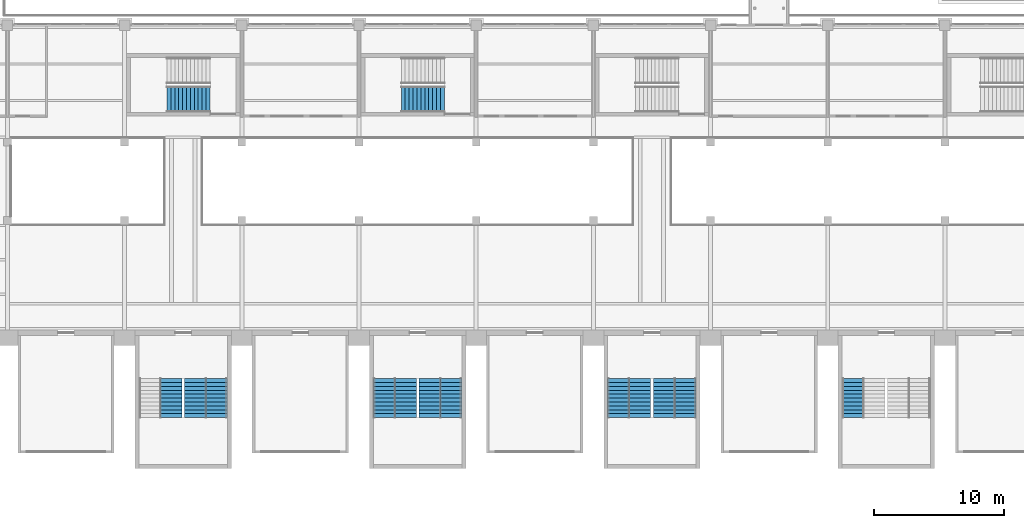
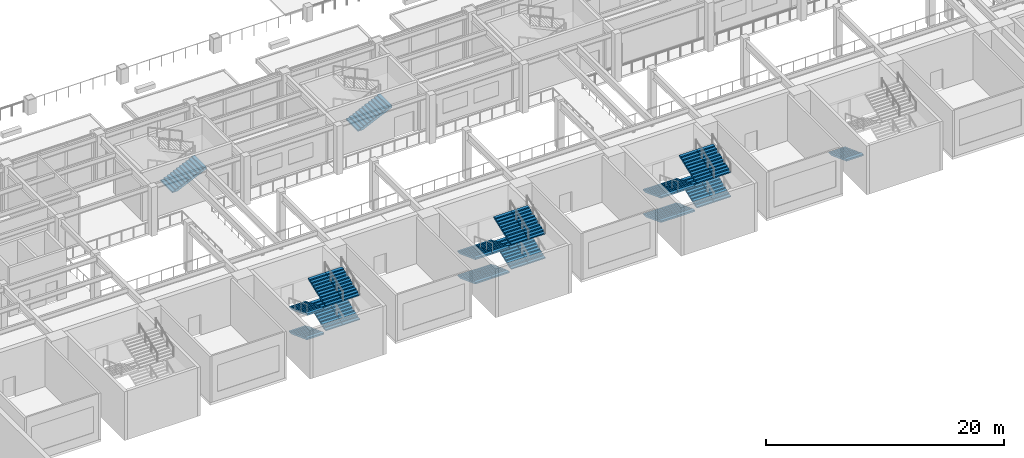
# One storey, part 50 of 67: 25 stair flights, 9 elements without a shape of their own.
"""IFC4 building model written with IfcOpenShell, lengths in metres."""

from ifc_helpers import new_model, si_unit, direction, frame, origin, place, context, subcontext, project, spatial, polyline, outline, extrude, material, type_object, element, aggregate, save


model = new_model("IFC4")

# Units and contexts
model_context = context("Model", 3, precision=1e-05, world=origin(), true_north=direction((0.0, 1.0)))
body_context = subcontext(model_context, "Body", "Model", "MODEL_VIEW")
ifc_project = project(units=[si_unit("LENGTHUNIT", "METRE"), si_unit("AREAUNIT", "SQUARE_METRE"), si_unit("VOLUMEUNIT", "CUBIC_METRE"), si_unit("PLANEANGLEUNIT", "RADIAN"), si_unit("MASSUNIT", "GRAM", prefix="KILO")], contexts=[model_context])

# Site, building, storey
site_placement = place(None, origin())
site = spatial("IfcSite", under=ifc_project, at=site_placement, CompositionType="ELEMENT")
building_placement = place(site_placement, origin())
building = spatial("IfcBuilding", under=site, at=building_placement, Name="Aravalli Gate Trade Fair Centre", CompositionType="ELEMENT")
storey_placement = place(building_placement, frame((0.0, 0.0, 5.0)))
storey = spatial("IfcBuildingStorey", under=building, at=storey_placement, Name="L01", CompositionType="ELEMENT", Elevation=5.0)

# Stair, stair flight
ifc_material_1 = material(Name="Concrete M30", Category="concrete")
stair_type_1 = type_object("IfcStairType", Name="Concourse stair, 2000 wide", PredefinedType="HALF_TURN_STAIR", material=ifc_material_1)
stair_1_placement = place(storey_placement, origin())
stair_1 = element("IfcStair", 1, at=stair_1_placement, inside=storey, type_object=stair_type_1, Name="Stair XA L01", PredefinedType="HALF_TURN_STAIR")
stair_flight_type_1 = type_object("IfcStairFlightType", Name="Concourse stair flight 2000", PredefinedType="STRAIGHT", material=ifc_material_1)
stair_flight_1_placement = place(storey_placement, frame((36.25, 127.300048828125, 1.666748046875), z_axis=(0.0, 0.0, 1.0), x_axis=(1.0, 0.0, 0.0)))
stair_flight_1 = element("IfcStairFlight", 2, at=stair_flight_1_placement, type_object=stair_flight_type_1, Name="STXA-L01 flight 2", NumberOfRisers=12, NumberOfTreads=11, PredefinedType="STRAIGHT", RiserHeight=0.138888889, TreadLength=0.3, context=body_context, shape_type="SweptSolid", body=[
    extrude(outline(polyline([(0.0, 0.0), (0.0, 0.138916015625), (0.300048828125, 0.138916015625), (0.300048828125, 0.27783203125), (0.60009765625, 0.27783203125), (0.60009765625, 0.416748046875), (0.89990234375, 0.416748046875), (0.89990234375, 0.5556640625), (1.199951171875, 0.5556640625), (1.199951171875, 0.6943359375), (1.5, 0.6943359375), (1.5, 0.833251953125), (1.800048828125, 0.833251953125), (1.800048828125, 0.97216796875), (2.10009765625, 0.97216796875), (2.10009765625, 1.111083984375), (2.39990234375, 1.111083984375), (2.39990234375, 1.25), (2.699951171875, 1.25), (2.699951171875, 1.388916015625), (3.0, 1.388916015625), (3.0, 1.52783203125), (3.300048828125, 1.52783203125), (3.300048828125, 1.666748046875), (3.300048828125, 1.307373046875), (0.475830078125, 0.0), (0.0, 0.0)])), frame((0.0, 1.0, 0.0), z_axis=(0.0, -1.0, 0.0), x_axis=(1.0, 0.0, 0.0)), (0.0, 0.0, 1.0), 2.0),
])
aggregate(stair_1, [stair_flight_1])

stair_2_placement = place(storey_placement, origin())
stair_2 = element("IfcStair", 3, at=stair_2_placement, inside=storey, type_object=stair_type_1, Name="Stair XB L01", PredefinedType="HALF_TURN_STAIR")
stair_flight_2_placement = place(storey_placement, frame((54.25, 127.300048828125, 1.666748046875), z_axis=(0.0, 0.0, 1.0), x_axis=(1.0, 0.0, 0.0)))
stair_flight_2 = element("IfcStairFlight", 4, at=stair_flight_2_placement, type_object=stair_flight_type_1, Name="STXB-L01 flight 2", NumberOfRisers=12, NumberOfTreads=11, PredefinedType="STRAIGHT", RiserHeight=0.138888889, TreadLength=0.3, context=body_context, shape_type="SweptSolid", body=[
    extrude(outline(polyline([(0.0, 0.0), (0.0, 0.138916015625), (0.300048828125, 0.138916015625), (0.300048828125, 0.27783203125), (0.60009765625, 0.27783203125), (0.60009765625, 0.416748046875), (0.89990234375, 0.416748046875), (0.89990234375, 0.5556640625), (1.199951171875, 0.5556640625), (1.199951171875, 0.6943359375), (1.5, 0.6943359375), (1.5, 0.833251953125), (1.800048828125, 0.833251953125), (1.800048828125, 0.97216796875), (2.10009765625, 0.97216796875), (2.10009765625, 1.111083984375), (2.39990234375, 1.111083984375), (2.39990234375, 1.25), (2.699951171875, 1.25), (2.699951171875, 1.388916015625), (3.0, 1.388916015625), (3.0, 1.52783203125), (3.300048828125, 1.52783203125), (3.300048828125, 1.666748046875), (3.300048828125, 1.307373046875), (0.475830078125, 0.0), (0.0, 0.0)])), frame((0.0, 1.0, 0.0), z_axis=(0.0, -1.0, 0.0), x_axis=(1.0, 0.0, 0.0)), (0.0, 0.0, 1.0), 2.0),
])
aggregate(stair_2, [stair_flight_2])

# Stair, stair flights
ifc_material_2 = material(Name="Concrete M40", Category="concrete")
stair_type_2 = type_object("IfcStairType", Name="Hall exit stair, four flights", PredefinedType="HALF_TURN_STAIR", material=ifc_material_2)
stair_3_placement = place(storey_placement, origin())
stair_3 = element("IfcStair", 5, at=stair_3_placement, inside=storey, type_object=stair_type_2, Name="Exit stair ST-N04 lane A L01", PredefinedType="HALF_TURN_STAIR")
stair_flight_type_2 = type_object("IfcStairFlightType", Name="Hall exit stair flight, four flights", PredefinedType="STRAIGHT", material=ifc_material_2)
stair_flight_3_placement = place(storey_placement, frame((38.419921875, 102.85009765625, 1.25), z_axis=(0.0, 0.0, 1.0), x_axis=(0.0, 1.0, 0.0)))
stair_flight_3 = element("IfcStairFlight", 6, at=stair_flight_3_placement, type_object=stair_flight_type_2, Name="ST-N04A flight 2", NumberOfRisers=11, NumberOfTreads=10, PredefinedType="STRAIGHT", RiserHeight=0.113636364, TreadLength=0.3, context=body_context, shape_type="SweptSolid", body=[
    extrude(outline(polyline([(0.0, 0.0), (0.0, 0.113525390625), (0.300048828125, 0.113525390625), (0.300048828125, 0.227294921875), (0.60009765625, 0.227294921875), (0.60009765625, 0.3408203125), (0.89990234375, 0.3408203125), (0.89990234375, 0.45458984375), (1.199951171875, 0.45458984375), (1.199951171875, 0.568115234375), (1.5, 0.568115234375), (1.5, 0.681884765625), (1.800048828125, 0.681884765625), (1.800048828125, 0.79541015625), (2.10009765625, 0.79541015625), (2.10009765625, 0.9091796875), (2.39990234375, 0.9091796875), (2.39990234375, 1.022705078125), (2.699951171875, 1.022705078125), (2.699951171875, 1.136474609375), (3.0, 1.136474609375), (3.0, 1.25), (3.0, 0.97607421875), (0.423095703125, 0.0), (0.0, 0.0)])), frame((0.0, 0.81982421875, 0.0), z_axis=(0.0, -1.0, 0.0), x_axis=(1.0, 0.0, 0.0)), (0.0, 0.0, 1.0), 1.639892578125),
])
stair_flight_4_placement = place(storey_placement, frame((38.419921875, 102.85009765625, 3.75), z_axis=(0.0, 0.0, 1.0), x_axis=(0.0, 1.0, 0.0)))
stair_flight_4 = element("IfcStairFlight", 7, at=stair_flight_4_placement, type_object=stair_flight_type_2, Name="ST-N04A flight 4", NumberOfRisers=11, NumberOfTreads=10, PredefinedType="STRAIGHT", RiserHeight=0.113636364, TreadLength=0.3, context=body_context, shape_type="SweptSolid", body=[
    extrude(outline(polyline([(0.0, 0.0), (0.0, 0.113525390625), (0.300048828125, 0.113525390625), (0.300048828125, 0.227294921875), (0.60009765625, 0.227294921875), (0.60009765625, 0.3408203125), (0.89990234375, 0.3408203125), (0.89990234375, 0.45458984375), (1.199951171875, 0.45458984375), (1.199951171875, 0.568115234375), (1.5, 0.568115234375), (1.5, 0.681884765625), (1.800048828125, 0.681884765625), (1.800048828125, 0.79541015625), (2.10009765625, 0.79541015625), (2.10009765625, 0.9091796875), (2.39990234375, 0.9091796875), (2.39990234375, 1.022705078125), (2.699951171875, 1.022705078125), (2.699951171875, 1.136474609375), (3.0, 1.136474609375), (3.0, 1.25), (3.0, 0.97607421875), (0.423095703125, 0.0), (0.0, 0.0)])), frame((0.0, 0.81982421875, 0.0), z_axis=(0.0, -1.0, 0.0), x_axis=(1.0, 0.0, 0.0)), (0.0, 0.0, 1.0), 1.639892578125),
])
aggregate(stair_3, [stair_flight_3, stair_flight_4])

stair_4_placement = place(storey_placement, origin())
stair_4 = element("IfcStair", 8, at=stair_4_placement, inside=storey, type_object=stair_type_2, Name="Exit stair ST-N04 lane B L01", PredefinedType="HALF_TURN_STAIR")
stair_flight_5_placement = place(storey_placement, frame((36.580078125, 105.85009765625, 0.0), z_axis=(0.0, 0.0, 1.0), x_axis=(0.0, -1.0, 0.0)))
stair_flight_5 = element("IfcStairFlight", 9, at=stair_flight_5_placement, type_object=stair_flight_type_2, Name="ST-N04B flight 1", NumberOfRisers=11, NumberOfTreads=10, PredefinedType="STRAIGHT", RiserHeight=0.113636364, TreadLength=0.3, context=body_context, shape_type="SweptSolid", body=[
    extrude(outline(polyline([(0.0, 0.0), (0.0, 0.113525390625), (0.300048828125, 0.113525390625), (0.300048828125, 0.227294921875), (0.60009765625, 0.227294921875), (0.60009765625, 0.3408203125), (0.89990234375, 0.3408203125), (0.89990234375, 0.45458984375), (1.199951171875, 0.45458984375), (1.199951171875, 0.568115234375), (1.5, 0.568115234375), (1.5, 0.681884765625), (1.800048828125, 0.681884765625), (1.800048828125, 0.79541015625), (2.10009765625, 0.79541015625), (2.10009765625, 0.9091796875), (2.39990234375, 0.9091796875), (2.39990234375, 1.022705078125), (2.699951171875, 1.022705078125), (2.699951171875, 1.136474609375), (3.0, 1.136474609375), (3.0, 1.25), (3.0, 0.97607421875), (0.423095703125, 0.0), (0.0, 0.0)])), frame((0.0, 0.81982421875, 0.0), z_axis=(0.0, -1.0, 0.0), x_axis=(1.0, 0.0, 0.0)), (0.0, 0.0, 1.0), 1.639892578125),
])
stair_flight_6_placement = place(storey_placement, frame((40.080078125, 102.85009765625, 1.25), z_axis=(0.0, 0.0, 1.0), x_axis=(0.0, 1.0, 0.0)))
stair_flight_6 = element("IfcStairFlight", 10, at=stair_flight_6_placement, type_object=stair_flight_type_2, Name="ST-N04B flight 2", NumberOfRisers=11, NumberOfTreads=10, PredefinedType="STRAIGHT", RiserHeight=0.113636364, TreadLength=0.3, context=body_context, shape_type="SweptSolid", body=[
    extrude(outline(polyline([(0.0, 0.0), (0.0, 0.113525390625), (0.300048828125, 0.113525390625), (0.300048828125, 0.227294921875), (0.60009765625, 0.227294921875), (0.60009765625, 0.3408203125), (0.89990234375, 0.3408203125), (0.89990234375, 0.45458984375), (1.199951171875, 0.45458984375), (1.199951171875, 0.568115234375), (1.5, 0.568115234375), (1.5, 0.681884765625), (1.800048828125, 0.681884765625), (1.800048828125, 0.79541015625), (2.10009765625, 0.79541015625), (2.10009765625, 0.9091796875), (2.39990234375, 0.9091796875), (2.39990234375, 1.022705078125), (2.699951171875, 1.022705078125), (2.699951171875, 1.136474609375), (3.0, 1.136474609375), (3.0, 1.25), (3.0, 0.97607421875), (0.423095703125, 0.0), (0.0, 0.0)])), frame((0.0, 0.81982421875, 0.0), z_axis=(0.0, -1.0, 0.0), x_axis=(1.0, 0.0, 0.0)), (0.0, 0.0, 1.0), 1.639892578125),
])
stair_flight_7_placement = place(storey_placement, frame((36.580078125, 105.85009765625, 2.5), z_axis=(0.0, 0.0, 1.0), x_axis=(0.0, -1.0, 0.0)))
stair_flight_7 = element("IfcStairFlight", 11, at=stair_flight_7_placement, type_object=stair_flight_type_2, Name="ST-N04B flight 3", NumberOfRisers=11, NumberOfTreads=10, PredefinedType="STRAIGHT", RiserHeight=0.113636364, TreadLength=0.3, context=body_context, shape_type="SweptSolid", body=[
    extrude(outline(polyline([(0.0, 0.0), (0.0, 0.113525390625), (0.300048828125, 0.113525390625), (0.300048828125, 0.227294921875), (0.60009765625, 0.227294921875), (0.60009765625, 0.3408203125), (0.89990234375, 0.3408203125), (0.89990234375, 0.45458984375), (1.199951171875, 0.45458984375), (1.199951171875, 0.568115234375), (1.5, 0.568115234375), (1.5, 0.681884765625), (1.800048828125, 0.681884765625), (1.800048828125, 0.79541015625), (2.10009765625, 0.79541015625), (2.10009765625, 0.9091796875), (2.39990234375, 0.9091796875), (2.39990234375, 1.022705078125), (2.699951171875, 1.022705078125), (2.699951171875, 1.136474609375), (3.0, 1.136474609375), (3.0, 1.25), (3.0, 0.97607421875), (0.423095703125, 0.0), (0.0, 0.0)])), frame((0.0, 0.81982421875, 0.0), z_axis=(0.0, -1.0, 0.0), x_axis=(1.0, 0.0, 0.0)), (0.0, 0.0, 1.0), 1.639892578125),
])
stair_flight_8_placement = place(storey_placement, frame((40.080078125, 102.85009765625, 3.75), z_axis=(0.0, 0.0, 1.0), x_axis=(0.0, 1.0, 0.0)))
stair_flight_8 = element("IfcStairFlight", 12, at=stair_flight_8_placement, type_object=stair_flight_type_2, Name="ST-N04B flight 4", NumberOfRisers=11, NumberOfTreads=10, PredefinedType="STRAIGHT", RiserHeight=0.113636364, TreadLength=0.3, context=body_context, shape_type="SweptSolid", body=[
    extrude(outline(polyline([(0.0, 0.0), (0.0, 0.113525390625), (0.300048828125, 0.113525390625), (0.300048828125, 0.227294921875), (0.60009765625, 0.227294921875), (0.60009765625, 0.3408203125), (0.89990234375, 0.3408203125), (0.89990234375, 0.45458984375), (1.199951171875, 0.45458984375), (1.199951171875, 0.568115234375), (1.5, 0.568115234375), (1.5, 0.681884765625), (1.800048828125, 0.681884765625), (1.800048828125, 0.79541015625), (2.10009765625, 0.79541015625), (2.10009765625, 0.9091796875), (2.39990234375, 0.9091796875), (2.39990234375, 1.022705078125), (2.699951171875, 1.022705078125), (2.699951171875, 1.136474609375), (3.0, 1.136474609375), (3.0, 1.25), (3.0, 0.97607421875), (0.423095703125, 0.0), (0.0, 0.0)])), frame((0.0, 0.81982421875, 0.0), z_axis=(0.0, -1.0, 0.0), x_axis=(1.0, 0.0, 0.0)), (0.0, 0.0, 1.0), 1.639892578125),
])
aggregate(stair_4, [stair_flight_5, stair_flight_6, stair_flight_7, stair_flight_8])

stair_5_placement = place(storey_placement, origin())
stair_5 = element("IfcStair", 13, at=stair_5_placement, inside=storey, type_object=stair_type_2, Name="Exit stair ST-N06 lane A L01", PredefinedType="HALF_TURN_STAIR")
stair_flight_9_placement = place(storey_placement, frame((52.919921875, 105.85009765625, 0.0), z_axis=(0.0, 0.0, 1.0), x_axis=(0.0, -1.0, 0.0)))
stair_flight_9 = element("IfcStairFlight", 14, at=stair_flight_9_placement, type_object=stair_flight_type_2, Name="ST-N06A flight 1", NumberOfRisers=11, NumberOfTreads=10, PredefinedType="STRAIGHT", RiserHeight=0.113636364, TreadLength=0.3, context=body_context, shape_type="SweptSolid", body=[
    extrude(outline(polyline([(0.0, 0.0), (0.0, 0.113525390625), (0.300048828125, 0.113525390625), (0.300048828125, 0.227294921875), (0.60009765625, 0.227294921875), (0.60009765625, 0.3408203125), (0.89990234375, 0.3408203125), (0.89990234375, 0.45458984375), (1.199951171875, 0.45458984375), (1.199951171875, 0.568115234375), (1.5, 0.568115234375), (1.5, 0.681884765625), (1.800048828125, 0.681884765625), (1.800048828125, 0.79541015625), (2.10009765625, 0.79541015625), (2.10009765625, 0.9091796875), (2.39990234375, 0.9091796875), (2.39990234375, 1.022705078125), (2.699951171875, 1.022705078125), (2.699951171875, 1.136474609375), (3.0, 1.136474609375), (3.0, 1.25), (3.0, 0.97607421875), (0.423095703125, 0.0), (0.0, 0.0)])), frame((0.0, 0.81982421875, 0.0), z_axis=(0.0, -1.0, 0.0), x_axis=(1.0, 0.0, 0.0)), (0.0, 0.0, 1.0), 1.639892578125),
])
stair_flight_10_placement = place(storey_placement, frame((56.419921875, 102.85009765625, 1.25), z_axis=(0.0, 0.0, 1.0), x_axis=(0.0, 1.0, 0.0)))
stair_flight_10 = element("IfcStairFlight", 15, at=stair_flight_10_placement, type_object=stair_flight_type_2, Name="ST-N06A flight 2", NumberOfRisers=11, NumberOfTreads=10, PredefinedType="STRAIGHT", RiserHeight=0.113636364, TreadLength=0.3, context=body_context, shape_type="SweptSolid", body=[
    extrude(outline(polyline([(0.0, 0.0), (0.0, 0.113525390625), (0.300048828125, 0.113525390625), (0.300048828125, 0.227294921875), (0.60009765625, 0.227294921875), (0.60009765625, 0.3408203125), (0.89990234375, 0.3408203125), (0.89990234375, 0.45458984375), (1.199951171875, 0.45458984375), (1.199951171875, 0.568115234375), (1.5, 0.568115234375), (1.5, 0.681884765625), (1.800048828125, 0.681884765625), (1.800048828125, 0.79541015625), (2.10009765625, 0.79541015625), (2.10009765625, 0.9091796875), (2.39990234375, 0.9091796875), (2.39990234375, 1.022705078125), (2.699951171875, 1.022705078125), (2.699951171875, 1.136474609375), (3.0, 1.136474609375), (3.0, 1.25), (3.0, 0.97607421875), (0.423095703125, 0.0), (0.0, 0.0)])), frame((0.0, 0.81982421875, 0.0), z_axis=(0.0, -1.0, 0.0), x_axis=(1.0, 0.0, 0.0)), (0.0, 0.0, 1.0), 1.639892578125),
])
stair_flight_11_placement = place(storey_placement, frame((52.919921875, 105.85009765625, 2.5), z_axis=(0.0, 0.0, 1.0), x_axis=(0.0, -1.0, 0.0)))
stair_flight_11 = element("IfcStairFlight", 16, at=stair_flight_11_placement, type_object=stair_flight_type_2, Name="ST-N06A flight 3", NumberOfRisers=11, NumberOfTreads=10, PredefinedType="STRAIGHT", RiserHeight=0.113636364, TreadLength=0.3, context=body_context, shape_type="SweptSolid", body=[
    extrude(outline(polyline([(0.0, 0.0), (0.0, 0.113525390625), (0.300048828125, 0.113525390625), (0.300048828125, 0.227294921875), (0.60009765625, 0.227294921875), (0.60009765625, 0.3408203125), (0.89990234375, 0.3408203125), (0.89990234375, 0.45458984375), (1.199951171875, 0.45458984375), (1.199951171875, 0.568115234375), (1.5, 0.568115234375), (1.5, 0.681884765625), (1.800048828125, 0.681884765625), (1.800048828125, 0.79541015625), (2.10009765625, 0.79541015625), (2.10009765625, 0.9091796875), (2.39990234375, 0.9091796875), (2.39990234375, 1.022705078125), (2.699951171875, 1.022705078125), (2.699951171875, 1.136474609375), (3.0, 1.136474609375), (3.0, 1.25), (3.0, 0.97607421875), (0.423095703125, 0.0), (0.0, 0.0)])), frame((0.0, 0.81982421875, 0.0), z_axis=(0.0, -1.0, 0.0), x_axis=(1.0, 0.0, 0.0)), (0.0, 0.0, 1.0), 1.639892578125),
])
stair_flight_12_placement = place(storey_placement, frame((56.419921875, 102.85009765625, 3.75), z_axis=(0.0, 0.0, 1.0), x_axis=(0.0, 1.0, 0.0)))
stair_flight_12 = element("IfcStairFlight", 17, at=stair_flight_12_placement, type_object=stair_flight_type_2, Name="ST-N06A flight 4", NumberOfRisers=11, NumberOfTreads=10, PredefinedType="STRAIGHT", RiserHeight=0.113636364, TreadLength=0.3, context=body_context, shape_type="SweptSolid", body=[
    extrude(outline(polyline([(0.0, 0.0), (0.0, 0.113525390625), (0.300048828125, 0.113525390625), (0.300048828125, 0.227294921875), (0.60009765625, 0.227294921875), (0.60009765625, 0.3408203125), (0.89990234375, 0.3408203125), (0.89990234375, 0.45458984375), (1.199951171875, 0.45458984375), (1.199951171875, 0.568115234375), (1.5, 0.568115234375), (1.5, 0.681884765625), (1.800048828125, 0.681884765625), (1.800048828125, 0.79541015625), (2.10009765625, 0.79541015625), (2.10009765625, 0.9091796875), (2.39990234375, 0.9091796875), (2.39990234375, 1.022705078125), (2.699951171875, 1.022705078125), (2.699951171875, 1.136474609375), (3.0, 1.136474609375), (3.0, 1.25), (3.0, 0.97607421875), (0.423095703125, 0.0), (0.0, 0.0)])), frame((0.0, 0.81982421875, 0.0), z_axis=(0.0, -1.0, 0.0), x_axis=(1.0, 0.0, 0.0)), (0.0, 0.0, 1.0), 1.639892578125),
])
aggregate(stair_5, [stair_flight_9, stair_flight_10, stair_flight_11, stair_flight_12])

stair_6_placement = place(storey_placement, origin())
stair_6 = element("IfcStair", 18, at=stair_6_placement, inside=storey, type_object=stair_type_2, Name="Exit stair ST-N06 lane B L01", PredefinedType="HALF_TURN_STAIR")
stair_flight_13_placement = place(storey_placement, frame((54.580078125, 105.85009765625, 0.0), z_axis=(0.0, 0.0, 1.0), x_axis=(0.0, -1.0, 0.0)))
stair_flight_13 = element("IfcStairFlight", 19, at=stair_flight_13_placement, type_object=stair_flight_type_2, Name="ST-N06B flight 1", NumberOfRisers=11, NumberOfTreads=10, PredefinedType="STRAIGHT", RiserHeight=0.113636364, TreadLength=0.3, context=body_context, shape_type="SweptSolid", body=[
    extrude(outline(polyline([(0.0, 0.0), (0.0, 0.113525390625), (0.300048828125, 0.113525390625), (0.300048828125, 0.227294921875), (0.60009765625, 0.227294921875), (0.60009765625, 0.3408203125), (0.89990234375, 0.3408203125), (0.89990234375, 0.45458984375), (1.199951171875, 0.45458984375), (1.199951171875, 0.568115234375), (1.5, 0.568115234375), (1.5, 0.681884765625), (1.800048828125, 0.681884765625), (1.800048828125, 0.79541015625), (2.10009765625, 0.79541015625), (2.10009765625, 0.9091796875), (2.39990234375, 0.9091796875), (2.39990234375, 1.022705078125), (2.699951171875, 1.022705078125), (2.699951171875, 1.136474609375), (3.0, 1.136474609375), (3.0, 1.25), (3.0, 0.97607421875), (0.423095703125, 0.0), (0.0, 0.0)])), frame((0.0, 0.81982421875, 0.0), z_axis=(0.0, -1.0, 0.0), x_axis=(1.0, 0.0, 0.0)), (0.0, 0.0, 1.0), 1.639892578125),
])
stair_flight_14_placement = place(storey_placement, frame((58.080078125, 102.85009765625, 1.25), z_axis=(0.0, 0.0, 1.0), x_axis=(0.0, 1.0, 0.0)))
stair_flight_14 = element("IfcStairFlight", 20, at=stair_flight_14_placement, type_object=stair_flight_type_2, Name="ST-N06B flight 2", NumberOfRisers=11, NumberOfTreads=10, PredefinedType="STRAIGHT", RiserHeight=0.113636364, TreadLength=0.3, context=body_context, shape_type="SweptSolid", body=[
    extrude(outline(polyline([(0.0, 0.0), (0.0, 0.113525390625), (0.300048828125, 0.113525390625), (0.300048828125, 0.227294921875), (0.60009765625, 0.227294921875), (0.60009765625, 0.3408203125), (0.89990234375, 0.3408203125), (0.89990234375, 0.45458984375), (1.199951171875, 0.45458984375), (1.199951171875, 0.568115234375), (1.5, 0.568115234375), (1.5, 0.681884765625), (1.800048828125, 0.681884765625), (1.800048828125, 0.79541015625), (2.10009765625, 0.79541015625), (2.10009765625, 0.9091796875), (2.39990234375, 0.9091796875), (2.39990234375, 1.022705078125), (2.699951171875, 1.022705078125), (2.699951171875, 1.136474609375), (3.0, 1.136474609375), (3.0, 1.25), (3.0, 0.97607421875), (0.423095703125, 0.0), (0.0, 0.0)])), frame((0.0, 0.81982421875, 0.0), z_axis=(0.0, -1.0, 0.0), x_axis=(1.0, 0.0, 0.0)), (0.0, 0.0, 1.0), 1.639892578125),
])
stair_flight_15_placement = place(storey_placement, frame((54.580078125, 105.85009765625, 2.5), z_axis=(0.0, 0.0, 1.0), x_axis=(0.0, -1.0, 0.0)))
stair_flight_15 = element("IfcStairFlight", 21, at=stair_flight_15_placement, type_object=stair_flight_type_2, Name="ST-N06B flight 3", NumberOfRisers=11, NumberOfTreads=10, PredefinedType="STRAIGHT", RiserHeight=0.113636364, TreadLength=0.3, context=body_context, shape_type="SweptSolid", body=[
    extrude(outline(polyline([(0.0, 0.0), (0.0, 0.113525390625), (0.300048828125, 0.113525390625), (0.300048828125, 0.227294921875), (0.60009765625, 0.227294921875), (0.60009765625, 0.3408203125), (0.89990234375, 0.3408203125), (0.89990234375, 0.45458984375), (1.199951171875, 0.45458984375), (1.199951171875, 0.568115234375), (1.5, 0.568115234375), (1.5, 0.681884765625), (1.800048828125, 0.681884765625), (1.800048828125, 0.79541015625), (2.10009765625, 0.79541015625), (2.10009765625, 0.9091796875), (2.39990234375, 0.9091796875), (2.39990234375, 1.022705078125), (2.699951171875, 1.022705078125), (2.699951171875, 1.136474609375), (3.0, 1.136474609375), (3.0, 1.25), (3.0, 0.97607421875), (0.423095703125, 0.0), (0.0, 0.0)])), frame((0.0, 0.81982421875, 0.0), z_axis=(0.0, -1.0, 0.0), x_axis=(1.0, 0.0, 0.0)), (0.0, 0.0, 1.0), 1.639892578125),
])
stair_flight_16_placement = place(storey_placement, frame((58.080078125, 102.85009765625, 3.75), z_axis=(0.0, 0.0, 1.0), x_axis=(0.0, 1.0, 0.0)))
stair_flight_16 = element("IfcStairFlight", 22, at=stair_flight_16_placement, type_object=stair_flight_type_2, Name="ST-N06B flight 4", NumberOfRisers=11, NumberOfTreads=10, PredefinedType="STRAIGHT", RiserHeight=0.113636364, TreadLength=0.3, context=body_context, shape_type="SweptSolid", body=[
    extrude(outline(polyline([(0.0, 0.0), (0.0, 0.113525390625), (0.300048828125, 0.113525390625), (0.300048828125, 0.227294921875), (0.60009765625, 0.227294921875), (0.60009765625, 0.3408203125), (0.89990234375, 0.3408203125), (0.89990234375, 0.45458984375), (1.199951171875, 0.45458984375), (1.199951171875, 0.568115234375), (1.5, 0.568115234375), (1.5, 0.681884765625), (1.800048828125, 0.681884765625), (1.800048828125, 0.79541015625), (2.10009765625, 0.79541015625), (2.10009765625, 0.9091796875), (2.39990234375, 0.9091796875), (2.39990234375, 1.022705078125), (2.699951171875, 1.022705078125), (2.699951171875, 1.136474609375), (3.0, 1.136474609375), (3.0, 1.25), (3.0, 0.97607421875), (0.423095703125, 0.0), (0.0, 0.0)])), frame((0.0, 0.81982421875, 0.0), z_axis=(0.0, -1.0, 0.0), x_axis=(1.0, 0.0, 0.0)), (0.0, 0.0, 1.0), 1.639892578125),
])
aggregate(stair_6, [stair_flight_13, stair_flight_14, stair_flight_15, stair_flight_16])

stair_7_placement = place(storey_placement, origin())
stair_7 = element("IfcStair", 23, at=stair_7_placement, inside=storey, type_object=stair_type_2, Name="Exit stair ST-N08 lane A L01", PredefinedType="HALF_TURN_STAIR")
stair_flight_17_placement = place(storey_placement, frame((70.919921875, 105.85009765625, 0.0), z_axis=(0.0, 0.0, 1.0), x_axis=(0.0, -1.0, 0.0)))
stair_flight_17 = element("IfcStairFlight", 24, at=stair_flight_17_placement, type_object=stair_flight_type_2, Name="ST-N08A flight 1", NumberOfRisers=11, NumberOfTreads=10, PredefinedType="STRAIGHT", RiserHeight=0.113636364, TreadLength=0.3, context=body_context, shape_type="SweptSolid", body=[
    extrude(outline(polyline([(0.0, 0.0), (0.0, 0.113525390625), (0.300048828125, 0.113525390625), (0.300048828125, 0.227294921875), (0.60009765625, 0.227294921875), (0.60009765625, 0.3408203125), (0.89990234375, 0.3408203125), (0.89990234375, 0.45458984375), (1.199951171875, 0.45458984375), (1.199951171875, 0.568115234375), (1.5, 0.568115234375), (1.5, 0.681884765625), (1.800048828125, 0.681884765625), (1.800048828125, 0.79541015625), (2.10009765625, 0.79541015625), (2.10009765625, 0.9091796875), (2.39990234375, 0.9091796875), (2.39990234375, 1.022705078125), (2.699951171875, 1.022705078125), (2.699951171875, 1.136474609375), (3.0, 1.136474609375), (3.0, 1.25), (3.0, 0.97607421875), (0.423095703125, 0.0), (0.0, 0.0)])), frame((0.0, 0.81982421875, 0.0), z_axis=(0.0, -1.0, 0.0), x_axis=(1.0, 0.0, 0.0)), (0.0, 0.0, 1.0), 1.639892578125),
])
stair_flight_18_placement = place(storey_placement, frame((74.419921875, 102.85009765625, 1.25), z_axis=(0.0, 0.0, 1.0), x_axis=(0.0, 1.0, 0.0)))
stair_flight_18 = element("IfcStairFlight", 25, at=stair_flight_18_placement, type_object=stair_flight_type_2, Name="ST-N08A flight 2", NumberOfRisers=11, NumberOfTreads=10, PredefinedType="STRAIGHT", RiserHeight=0.113636364, TreadLength=0.3, context=body_context, shape_type="SweptSolid", body=[
    extrude(outline(polyline([(0.0, 0.0), (0.0, 0.113525390625), (0.300048828125, 0.113525390625), (0.300048828125, 0.227294921875), (0.60009765625, 0.227294921875), (0.60009765625, 0.3408203125), (0.89990234375, 0.3408203125), (0.89990234375, 0.45458984375), (1.199951171875, 0.45458984375), (1.199951171875, 0.568115234375), (1.5, 0.568115234375), (1.5, 0.681884765625), (1.800048828125, 0.681884765625), (1.800048828125, 0.79541015625), (2.10009765625, 0.79541015625), (2.10009765625, 0.9091796875), (2.39990234375, 0.9091796875), (2.39990234375, 1.022705078125), (2.699951171875, 1.022705078125), (2.699951171875, 1.136474609375), (3.0, 1.136474609375), (3.0, 1.25), (3.0, 0.97607421875), (0.423095703125, 0.0), (0.0, 0.0)])), frame((0.0, 0.81982421875, 0.0), z_axis=(0.0, -1.0, 0.0), x_axis=(1.0, 0.0, 0.0)), (0.0, 0.0, 1.0), 1.639892578125),
])
stair_flight_19_placement = place(storey_placement, frame((70.919921875, 105.85009765625, 2.5), z_axis=(0.0, 0.0, 1.0), x_axis=(0.0, -1.0, 0.0)))
stair_flight_19 = element("IfcStairFlight", 26, at=stair_flight_19_placement, type_object=stair_flight_type_2, Name="ST-N08A flight 3", NumberOfRisers=11, NumberOfTreads=10, PredefinedType="STRAIGHT", RiserHeight=0.113636364, TreadLength=0.3, context=body_context, shape_type="SweptSolid", body=[
    extrude(outline(polyline([(0.0, 0.0), (0.0, 0.113525390625), (0.300048828125, 0.113525390625), (0.300048828125, 0.227294921875), (0.60009765625, 0.227294921875), (0.60009765625, 0.3408203125), (0.89990234375, 0.3408203125), (0.89990234375, 0.45458984375), (1.199951171875, 0.45458984375), (1.199951171875, 0.568115234375), (1.5, 0.568115234375), (1.5, 0.681884765625), (1.800048828125, 0.681884765625), (1.800048828125, 0.79541015625), (2.10009765625, 0.79541015625), (2.10009765625, 0.9091796875), (2.39990234375, 0.9091796875), (2.39990234375, 1.022705078125), (2.699951171875, 1.022705078125), (2.699951171875, 1.136474609375), (3.0, 1.136474609375), (3.0, 1.25), (3.0, 0.97607421875), (0.423095703125, 0.0), (0.0, 0.0)])), frame((0.0, 0.81982421875, 0.0), z_axis=(0.0, -1.0, 0.0), x_axis=(1.0, 0.0, 0.0)), (0.0, 0.0, 1.0), 1.639892578125),
])
stair_flight_20_placement = place(storey_placement, frame((74.419921875, 102.85009765625, 3.75), z_axis=(0.0, 0.0, 1.0), x_axis=(0.0, 1.0, 0.0)))
stair_flight_20 = element("IfcStairFlight", 27, at=stair_flight_20_placement, type_object=stair_flight_type_2, Name="ST-N08A flight 4", NumberOfRisers=11, NumberOfTreads=10, PredefinedType="STRAIGHT", RiserHeight=0.113636364, TreadLength=0.3, context=body_context, shape_type="SweptSolid", body=[
    extrude(outline(polyline([(0.0, 0.0), (0.0, 0.113525390625), (0.300048828125, 0.113525390625), (0.300048828125, 0.227294921875), (0.60009765625, 0.227294921875), (0.60009765625, 0.3408203125), (0.89990234375, 0.3408203125), (0.89990234375, 0.45458984375), (1.199951171875, 0.45458984375), (1.199951171875, 0.568115234375), (1.5, 0.568115234375), (1.5, 0.681884765625), (1.800048828125, 0.681884765625), (1.800048828125, 0.79541015625), (2.10009765625, 0.79541015625), (2.10009765625, 0.9091796875), (2.39990234375, 0.9091796875), (2.39990234375, 1.022705078125), (2.699951171875, 1.022705078125), (2.699951171875, 1.136474609375), (3.0, 1.136474609375), (3.0, 1.25), (3.0, 0.97607421875), (0.423095703125, 0.0), (0.0, 0.0)])), frame((0.0, 0.81982421875, 0.0), z_axis=(0.0, -1.0, 0.0), x_axis=(1.0, 0.0, 0.0)), (0.0, 0.0, 1.0), 1.639892578125),
])
aggregate(stair_7, [stair_flight_17, stair_flight_18, stair_flight_19, stair_flight_20])

stair_8_placement = place(storey_placement, origin())
stair_8 = element("IfcStair", 28, at=stair_8_placement, inside=storey, type_object=stair_type_2, Name="Exit stair ST-N08 lane B L01", PredefinedType="HALF_TURN_STAIR")
stair_flight_21_placement = place(storey_placement, frame((72.580078125, 105.85009765625, 0.0), z_axis=(0.0, 0.0, 1.0), x_axis=(0.0, -1.0, 0.0)))
stair_flight_21 = element("IfcStairFlight", 29, at=stair_flight_21_placement, type_object=stair_flight_type_2, Name="ST-N08B flight 1", NumberOfRisers=11, NumberOfTreads=10, PredefinedType="STRAIGHT", RiserHeight=0.113636364, TreadLength=0.3, context=body_context, shape_type="SweptSolid", body=[
    extrude(outline(polyline([(0.0, 0.0), (0.0, 0.113525390625), (0.300048828125, 0.113525390625), (0.300048828125, 0.227294921875), (0.60009765625, 0.227294921875), (0.60009765625, 0.3408203125), (0.89990234375, 0.3408203125), (0.89990234375, 0.45458984375), (1.199951171875, 0.45458984375), (1.199951171875, 0.568115234375), (1.5, 0.568115234375), (1.5, 0.681884765625), (1.800048828125, 0.681884765625), (1.800048828125, 0.79541015625), (2.10009765625, 0.79541015625), (2.10009765625, 0.9091796875), (2.39990234375, 0.9091796875), (2.39990234375, 1.022705078125), (2.699951171875, 1.022705078125), (2.699951171875, 1.136474609375), (3.0, 1.136474609375), (3.0, 1.25), (3.0, 0.97607421875), (0.423095703125, 0.0), (0.0, 0.0)])), frame((0.0, 0.81982421875, 0.0), z_axis=(0.0, -1.0, 0.0), x_axis=(1.0, 0.0, 0.0)), (0.0, 0.0, 1.0), 1.639892578125),
])
stair_flight_22_placement = place(storey_placement, frame((76.080078125, 102.85009765625, 1.25), z_axis=(0.0, 0.0, 1.0), x_axis=(0.0, 1.0, 0.0)))
stair_flight_22 = element("IfcStairFlight", 30, at=stair_flight_22_placement, type_object=stair_flight_type_2, Name="ST-N08B flight 2", NumberOfRisers=11, NumberOfTreads=10, PredefinedType="STRAIGHT", RiserHeight=0.113636364, TreadLength=0.3, context=body_context, shape_type="SweptSolid", body=[
    extrude(outline(polyline([(0.0, 0.0), (0.0, 0.113525390625), (0.300048828125, 0.113525390625), (0.300048828125, 0.227294921875), (0.60009765625, 0.227294921875), (0.60009765625, 0.3408203125), (0.89990234375, 0.3408203125), (0.89990234375, 0.45458984375), (1.199951171875, 0.45458984375), (1.199951171875, 0.568115234375), (1.5, 0.568115234375), (1.5, 0.681884765625), (1.800048828125, 0.681884765625), (1.800048828125, 0.79541015625), (2.10009765625, 0.79541015625), (2.10009765625, 0.9091796875), (2.39990234375, 0.9091796875), (2.39990234375, 1.022705078125), (2.699951171875, 1.022705078125), (2.699951171875, 1.136474609375), (3.0, 1.136474609375), (3.0, 1.25), (3.0, 0.97607421875), (0.423095703125, 0.0), (0.0, 0.0)])), frame((0.0, 0.81982421875, 0.0), z_axis=(0.0, -1.0, 0.0), x_axis=(1.0, 0.0, 0.0)), (0.0, 0.0, 1.0), 1.639892578125),
])
stair_flight_23_placement = place(storey_placement, frame((72.580078125, 105.85009765625, 2.5), z_axis=(0.0, 0.0, 1.0), x_axis=(0.0, -1.0, 0.0)))
stair_flight_23 = element("IfcStairFlight", 31, at=stair_flight_23_placement, type_object=stair_flight_type_2, Name="ST-N08B flight 3", NumberOfRisers=11, NumberOfTreads=10, PredefinedType="STRAIGHT", RiserHeight=0.113636364, TreadLength=0.3, context=body_context, shape_type="SweptSolid", body=[
    extrude(outline(polyline([(0.0, 0.0), (0.0, 0.113525390625), (0.300048828125, 0.113525390625), (0.300048828125, 0.227294921875), (0.60009765625, 0.227294921875), (0.60009765625, 0.3408203125), (0.89990234375, 0.3408203125), (0.89990234375, 0.45458984375), (1.199951171875, 0.45458984375), (1.199951171875, 0.568115234375), (1.5, 0.568115234375), (1.5, 0.681884765625), (1.800048828125, 0.681884765625), (1.800048828125, 0.79541015625), (2.10009765625, 0.79541015625), (2.10009765625, 0.9091796875), (2.39990234375, 0.9091796875), (2.39990234375, 1.022705078125), (2.699951171875, 1.022705078125), (2.699951171875, 1.136474609375), (3.0, 1.136474609375), (3.0, 1.25), (3.0, 0.97607421875), (0.423095703125, 0.0), (0.0, 0.0)])), frame((0.0, 0.81982421875, 0.0), z_axis=(0.0, -1.0, 0.0), x_axis=(1.0, 0.0, 0.0)), (0.0, 0.0, 1.0), 1.639892578125),
])
stair_flight_24_placement = place(storey_placement, frame((76.080078125, 102.85009765625, 3.75), z_axis=(0.0, 0.0, 1.0), x_axis=(0.0, 1.0, 0.0)))
stair_flight_24 = element("IfcStairFlight", 32, at=stair_flight_24_placement, type_object=stair_flight_type_2, Name="ST-N08B flight 4", NumberOfRisers=11, NumberOfTreads=10, PredefinedType="STRAIGHT", RiserHeight=0.113636364, TreadLength=0.3, context=body_context, shape_type="SweptSolid", body=[
    extrude(outline(polyline([(0.0, 0.0), (0.0, 0.113525390625), (0.300048828125, 0.113525390625), (0.300048828125, 0.227294921875), (0.60009765625, 0.227294921875), (0.60009765625, 0.3408203125), (0.89990234375, 0.3408203125), (0.89990234375, 0.45458984375), (1.199951171875, 0.45458984375), (1.199951171875, 0.568115234375), (1.5, 0.568115234375), (1.5, 0.681884765625), (1.800048828125, 0.681884765625), (1.800048828125, 0.79541015625), (2.10009765625, 0.79541015625), (2.10009765625, 0.9091796875), (2.39990234375, 0.9091796875), (2.39990234375, 1.022705078125), (2.699951171875, 1.022705078125), (2.699951171875, 1.136474609375), (3.0, 1.136474609375), (3.0, 1.25), (3.0, 0.97607421875), (0.423095703125, 0.0), (0.0, 0.0)])), frame((0.0, 0.81982421875, 0.0), z_axis=(0.0, -1.0, 0.0), x_axis=(1.0, 0.0, 0.0)), (0.0, 0.0, 1.0), 1.639892578125),
])
aggregate(stair_8, [stair_flight_21, stair_flight_22, stair_flight_23, stair_flight_24])

# Stair, stair flight
stair_9_placement = place(storey_placement, origin())
stair_9 = element("IfcStair", 33, at=stair_9_placement, inside=storey, type_object=stair_type_2, Name="Exit stair ST-N10 lane A L01", PredefinedType="HALF_TURN_STAIR")
stair_flight_25_placement = place(storey_placement, frame((88.919921875, 105.85009765625, 0.0), z_axis=(0.0, 0.0, 1.0), x_axis=(0.0, -1.0, 0.0)))
stair_flight_25 = element("IfcStairFlight", 34, at=stair_flight_25_placement, type_object=stair_flight_type_2, Name="ST-N10A flight 1", NumberOfRisers=11, NumberOfTreads=10, PredefinedType="STRAIGHT", RiserHeight=0.113636364, TreadLength=0.3, context=body_context, shape_type="SweptSolid", body=[
    extrude(outline(polyline([(0.0, 0.0), (0.0, 0.113525390625), (0.300048828125, 0.113525390625), (0.300048828125, 0.227294921875), (0.60009765625, 0.227294921875), (0.60009765625, 0.3408203125), (0.89990234375, 0.3408203125), (0.89990234375, 0.45458984375), (1.199951171875, 0.45458984375), (1.199951171875, 0.568115234375), (1.5, 0.568115234375), (1.5, 0.681884765625), (1.800048828125, 0.681884765625), (1.800048828125, 0.79541015625), (2.10009765625, 0.79541015625), (2.10009765625, 0.9091796875), (2.39990234375, 0.9091796875), (2.39990234375, 1.022705078125), (2.699951171875, 1.022705078125), (2.699951171875, 1.136474609375), (3.0, 1.136474609375), (3.0, 1.25), (3.0, 0.97607421875), (0.423095703125, 0.0), (0.0, 0.0)])), frame((0.0, 0.81982421875, 0.0), z_axis=(0.0, -1.0, 0.0), x_axis=(1.0, 0.0, 0.0)), (0.0, 0.0, 1.0), 1.639892578125),
])
aggregate(stair_9, [stair_flight_25])

save(model, "model.ifc")
